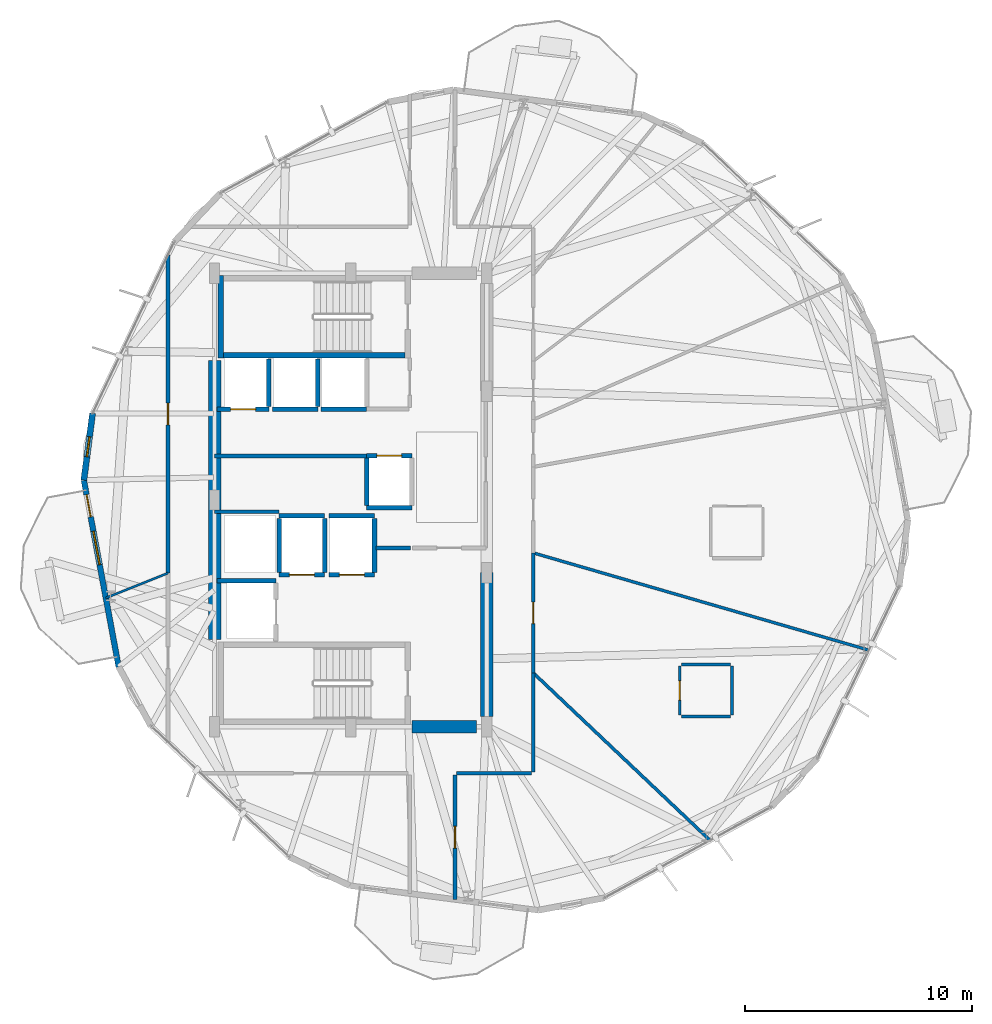
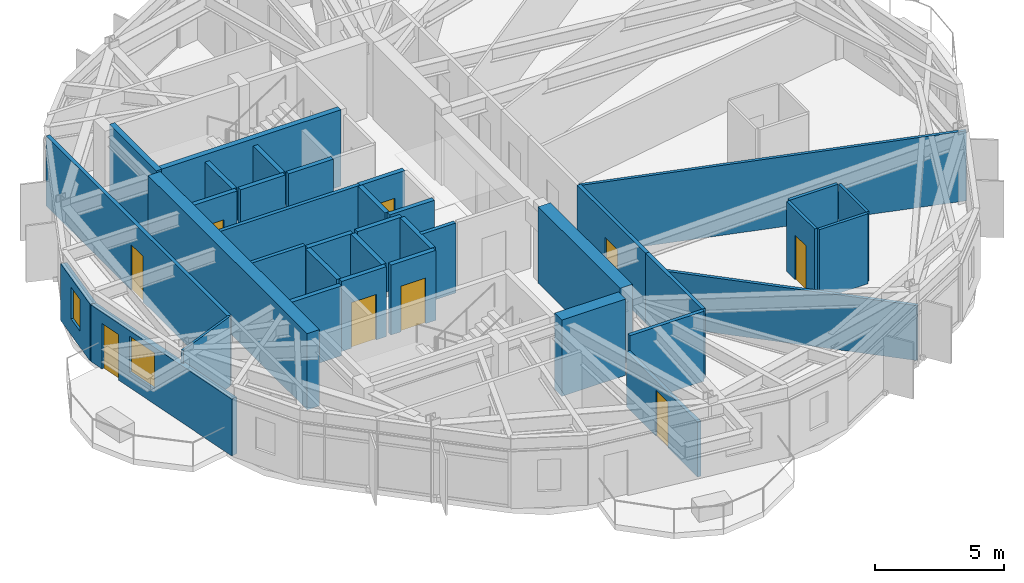
# One storey, part 18 of 23: 38 walls, 9 doors, 2 windows, 11 openings.
"""IFC4 building model written with IfcOpenShell, lengths in metres."""

from ifc_helpers import new_model, si_unit, direction, frame, frame_2d, origin, place, context, subcontext, project, spatial, rectangle, extrude, material, layer, layer_set, type_object, element, fill, save


model = new_model("IFC4")

# Units and contexts
model_context = context("Model", 3, precision=1e-05, world=origin(), true_north=direction((0.0, 1.0)))
body_context = subcontext(model_context, "Body", "Model", "MODEL_VIEW")
ifc_project = project(units=[si_unit("LENGTHUNIT", "METRE"), si_unit("AREAUNIT", "SQUARE_METRE"), si_unit("VOLUMEUNIT", "CUBIC_METRE"), si_unit("PLANEANGLEUNIT", "RADIAN"), si_unit("MASSUNIT", "GRAM", prefix="KILO")], contexts=[model_context])

# Site, building, storey
site_placement = place(None, origin())
site = spatial("IfcSite", under=ifc_project, at=site_placement, CompositionType="ELEMENT")
building_placement = place(site_placement, origin())
building = spatial("IfcBuilding", under=site, at=building_placement, Name="Soratama Intermodal Tower", CompositionType="ELEMENT")
storey_placement = place(building_placement, frame((0.0, 0.0, 139.0)))
storey = spatial("IfcBuildingStorey", under=building, at=storey_placement, Name="L33", CompositionType="ELEMENT", Elevation=139.0)

# Wall, openings, door, window
ifc_material_1 = material(Name="Concrete f'c 42 MPa", Category="concrete")
ifc_layer_1 = layer(ifc_material_1, 0.25)
ifc_layer_set_1 = layer_set([ifc_layer_1], Name="Concrete f'c 42 MPa")
wall_type_1 = type_object("IfcWallType", Name="EW-BAL-250", PredefinedType="SOLIDWALL", material=ifc_layer_set_1)
wall_1_placement = place(storey_placement, frame((26.84228515625, 25.875244140625, 0.0), z_axis=(0.0, 0.0, 1.0), x_axis=(0.183274789928, -0.983061723076, 0.0)))
wall_1 = element("IfcWall", 1, at=wall_1_placement, inside=storey, type_object=wall_type_1, Name="L33 Terrace Wall F05", PredefinedType="SOLIDWALL", context=body_context, shape_type="SweptSolid", body=[
    extrude(rectangle(XDim=8.376220703125, YDim=0.25, at=frame_2d((4.18798828125, 0.0))), origin(), (0.0, 0.0, 1.0), 2.678955078125),
])
opening_1_placement = place(wall_1_placement, frame((0.64990234375, 0.0, 0.0)))
opening_1 = element("IfcOpeningElement", 2, at=opening_1_placement, cuts=wall_1, Name="Opening ED-2", PredefinedType="OPENING", context=body_context, shape_type="SweptSolid", body=[
    extrude(rectangle(XDim=1.0, YDim=2.14990234375, at=frame_2d((0.5, 1.074951171875))), frame((0.0, 0.135009765625, 0.0), z_axis=(0.0, -1.0, 0.0), x_axis=(1.0, 0.0, 0.0)), (0.0, 0.0, 1.0), 0.27001953125),
])
opening_2_placement = place(wall_1_placement, frame((2.2900390625, 0.0, 0.719970703125)))
opening_2 = element("IfcOpeningElement", 3, at=opening_2_placement, cuts=wall_1, Name="Opening WN-1", PredefinedType="OPENING", context=body_context, shape_type="SweptSolid", body=[
    extrude(rectangle(XDim=1.5, YDim=1.699951171875, at=frame_2d((0.75, 0.85009765625))), frame((0.0, 0.135009765625, 0.0), z_axis=(0.0, -1.0, 0.0), x_axis=(1.0, 0.0, 0.0)), (0.0, 0.0, 1.0), 0.27001953125),
])
ifc_material_2 = material(Name="Double-glazed aluminium door", Category="aluminium")
door_type_1 = type_object("IfcDoorType", Name="DR-BAL-1000", OperationType="NOTDEFINED", PredefinedType="DOOR", material=ifc_material_2)
door_1_placement = place(opening_1_placement, origin())
door_1 = element("IfcDoor", 4, at=door_1_placement, inside=storey, type_object=door_type_1, Name="L33 Balcony Door F05", OperationType="SINGLE_SWING_LEFT", OverallHeight=2.14990234375, OverallWidth=1.0, PredefinedType="DOOR", context=body_context, shape_type="SweptSolid", body=[
    extrude(rectangle(XDim=1.0, YDim=2.14990234375, at=frame_2d((0.5, 1.074951171875))), frame((0.0, 0.02490234375, 0.0), z_axis=(0.0, -1.0, 0.0), x_axis=(1.0, 0.0, 0.0)), (0.0, 0.0, 1.0), 0.050048828125),
])
fill(opening_1, door_1)
ifc_material_3 = material(Name="Double-glazed aluminium window", Category="aluminium")
window_type_1 = type_object("IfcWindowType", Name="WN-FAC-1500", PartitioningType="SINGLE_PANEL", PredefinedType="WINDOW", material=ifc_material_3)
window_1_placement = place(opening_2_placement, origin())
window_1 = element("IfcWindow", 5, at=window_1_placement, inside=storey, type_object=window_type_1, Name="L33 Window B F05", OverallHeight=1.699951171875, OverallWidth=1.5, PartitioningType="SINGLE_PANEL", PredefinedType="WINDOW", context=body_context, shape_type="SweptSolid", body=[
    extrude(rectangle(XDim=1.5, YDim=1.699951171875, at=frame_2d((0.75, 0.85009765625))), frame((0.0, 0.030029296875, 0.0), z_axis=(0.0, -1.0, 0.0), x_axis=(1.0, 0.0, 0.0)), (0.0, 0.0, 1.0), 0.06005859375),
])
fill(opening_2, window_1)

# Wall, opening, window
ifc_material_4 = material(Name="Concrete f'c 42 MPa", Category="concrete")
ifc_layer_2 = layer(ifc_material_4, 0.27001953125)
ifc_layer_set_2 = layer_set([ifc_layer_2], Name="Concrete f'c 42 MPa")
wall_type_2 = type_object("IfcWallType", Name="EW-CRN-270", PredefinedType="SOLIDWALL", material=ifc_layer_set_2)
wall_2_placement = place(storey_placement, frame((27.2265625, 28.81689453125, 0.0), z_axis=(0.0, 0.0, 1.0), x_axis=(-0.129532682457, -0.991575153065, 0.0)))
wall_2 = element("IfcWall", 6, at=wall_2_placement, inside=storey, type_object=wall_type_2, Name="L33 Corner Closure Wall 04", PredefinedType="SOLIDWALL", context=body_context, shape_type="SweptSolid", body=[
    extrude(rectangle(XDim=2.966552734375, YDim=0.27001953125, at=frame_2d((1.4833984375, 0.0))), origin(), (0.0, 0.0, 1.0), 2.678955078125),
])
opening_3_placement = place(wall_2_placement, frame((1.033203125, 0.0, 0.75)))
opening_3 = element("IfcOpeningElement", 7, at=opening_3_placement, cuts=wall_2, Name="Opening WN-6", PredefinedType="OPENING", context=body_context, shape_type="SweptSolid", body=[
    extrude(rectangle(XDim=0.89990234375, YDim=1.5, at=frame_2d((0.449951171875, 0.75))), frame((0.0, 0.14501953125, 0.0), z_axis=(0.0, -1.0, 0.0), x_axis=(1.0, 0.0, 0.0)), (0.0, 0.0, 1.0), 0.2900390625),
])
ifc_material_5 = material(Name="Double-glazed aluminium window", Category="aluminium")
window_type_2 = type_object("IfcWindowType", Name="WN-FAC-900", PartitioningType="SINGLE_PANEL", PredefinedType="WINDOW", material=ifc_material_5)
window_2_placement = place(opening_3_placement, origin())
window_2 = element("IfcWindow", 8, at=window_2_placement, inside=storey, type_object=window_type_2, Name="L33 Corner Window 04", OverallHeight=1.5, OverallWidth=0.89990234375, PartitioningType="SINGLE_PANEL", PredefinedType="WINDOW", context=body_context, shape_type="SweptSolid", body=[
    extrude(rectangle(XDim=0.89990234375, YDim=1.5, at=frame_2d((0.449951171875, 0.75))), frame((0.0, 0.030029296875, 0.0), z_axis=(0.0, -1.0, 0.0), x_axis=(1.0, 0.0, 0.0)), (0.0, 0.0, 1.0), 0.06005859375),
])
fill(opening_3, window_2)

# Wall, opening, door
ifc_material_6 = material(Name="Fire-rated gypsum stud partition", Category="concrete")
ifc_layer_3 = layer(ifc_material_6, 0.159912109375)
ifc_layer_set_3 = layer_set([ifc_layer_3], Name="Fire-rated gypsum stud partition")
wall_type_3 = type_object("IfcWallType", Name="IW-PART-R160", PredefinedType="PARTITIONING", material=ifc_layer_set_3)
wall_3_placement = place(storey_placement, frame((30.550048828125, 21.778076171875, 0.0), z_axis=(0.0, 0.0, 1.0), x_axis=(0.0, 1.0, 0.0)))
wall_3 = element("IfcWall", 9, at=wall_3_placement, inside=storey, type_object=wall_type_3, Name="L33 Partition W-L33-TP004", PredefinedType="PARTITIONING", context=body_context, shape_type="SweptSolid", body=[
    extrude(rectangle(XDim=14.02490234375, YDim=0.159912109375, at=frame_2d((7.012451171875, 0.0))), origin(), (0.0, 0.0, 1.0), 3.300048828125),
])
opening_4_placement = place(wall_3_placement, frame((6.537109375, 0.0, 0.0)))
opening_4 = element("IfcOpeningElement", 10, at=opening_4_placement, cuts=wall_3, Name="Opening ID-3", PredefinedType="OPENING", context=body_context, shape_type="SweptSolid", body=[
    extrude(rectangle(XDim=0.949951171875, YDim=2.14990234375, at=frame_2d((0.47509765625, 1.074951171875))), frame((0.0, 0.08984375, 0.0), z_axis=(0.0, -1.0, 0.0), x_axis=(1.0, 0.0, 0.0)), (0.0, 0.0, 1.0), 0.179931640625),
])
ifc_material_7 = material(Name="Solid hardwood acoustic door", Category="wood")
door_type_2 = type_object("IfcDoorType", Name="DR-ROOM-950", OperationType="NOTDEFINED", PredefinedType="DOOR", material=ifc_material_7)
door_2_placement = place(opening_4_placement, origin())
door_2 = element("IfcDoor", 11, at=door_2_placement, inside=storey, type_object=door_type_2, Name="L33 Door D-L33-TP001", OperationType="SINGLE_SWING_RIGHT", OverallHeight=2.14990234375, OverallWidth=0.949951171875, PredefinedType="DOOR", context=body_context, shape_type="SweptSolid", body=[
    extrude(rectangle(XDim=0.949951171875, YDim=2.14990234375, at=frame_2d((0.47509765625, 1.074951171875))), frame((0.0, 0.02490234375, 0.0), z_axis=(0.0, -1.0, 0.0), x_axis=(1.0, 0.0, 0.0)), (0.0, 0.0, 1.0), 0.050048828125),
])
fill(opening_4, door_2)

# Wall
wall_4_placement = place(storey_placement, frame((39.300048828125, 26.93994140625, 0.0), z_axis=(0.0, 0.0, 1.0), x_axis=(-1.0, 0.0, 0.0)))
element("IfcWall", 12, at=wall_4_placement, inside=storey, type_object=wall_type_3, Name="L33 Partition W-L33-TP011", PredefinedType="PARTITIONING", context=body_context, shape_type="SweptSolid", body=[
    extrude(rectangle(XDim=6.699951171875, YDim=0.159912109375, at=frame_2d((3.35009765625, 0.0))), origin(), (0.0, 0.0, 1.0), 3.300048828125),
])

# Wall, opening, door
wall_5_placement = place(storey_placement, frame((43.199951171875, 12.8798828125, 0.0), z_axis=(0.0, 0.0, 1.0), x_axis=(0.0, -1.0, 0.0)))
wall_5 = element("IfcWall", 13, at=wall_5_placement, inside=storey, type_object=wall_type_3, Name="L33 Partition W-L33-TP015", PredefinedType="PARTITIONING", context=body_context, shape_type="SweptSolid", body=[
    extrude(rectangle(XDim=5.48486328125, YDim=0.159912109375, at=frame_2d((2.742431640625, 0.0))), origin(), (0.0, 0.0, 1.0), 2.594970703125),
])
opening_5_placement = place(wall_5_placement, frame((2.26806640625, 0.0, 0.0)))
opening_5 = element("IfcOpeningElement", 14, at=opening_5_placement, cuts=wall_5, Name="Opening ID-3", PredefinedType="OPENING", context=body_context, shape_type="SweptSolid", body=[
    extrude(rectangle(XDim=0.949951171875, YDim=2.14990234375, at=frame_2d((0.47509765625, 1.074951171875))), frame((0.0, 0.08984375, 0.0), z_axis=(0.0, -1.0, 0.0), x_axis=(1.0, 0.0, 0.0)), (0.0, 0.0, 1.0), 0.179931640625),
])
door_3_placement = place(opening_5_placement, origin())
door_3 = element("IfcDoor", 15, at=door_3_placement, inside=storey, type_object=door_type_2, Name="L33 Door D-L33-TP007", OperationType="SINGLE_SWING_RIGHT", OverallHeight=2.14990234375, OverallWidth=0.949951171875, PredefinedType="DOOR", context=body_context, shape_type="SweptSolid", body=[
    extrude(rectangle(XDim=0.949951171875, YDim=2.14990234375, at=frame_2d((0.47509765625, 1.074951171875))), frame((0.0, 0.02490234375, 0.0), z_axis=(0.0, -1.0, 0.0), x_axis=(1.0, 0.0, 0.0)), (0.0, 0.0, 1.0), 0.050048828125),
])
fill(opening_5, door_3)

wall_6_placement = place(storey_placement, frame((46.64990234375, 22.66796875, 0.0), z_axis=(0.0, 0.0, 1.0), x_axis=(0.0, -1.0, 0.0)))
wall_6 = element("IfcWall", 16, at=wall_6_placement, inside=storey, type_object=wall_type_3, Name="L33 Partition W-L33-TP016", PredefinedType="PARTITIONING", context=body_context, shape_type="SweptSolid", body=[
    extrude(rectangle(XDim=5.291015625, YDim=0.159912109375, at=frame_2d((2.6455078125, 0.0))), origin(), (0.0, 0.0, 1.0), 3.300048828125),
])
opening_6_placement = place(wall_6_placement, frame((2.1708984375, 0.0, 0.0)))
opening_6 = element("IfcOpeningElement", 17, at=opening_6_placement, cuts=wall_6, Name="Opening ID-3", PredefinedType="OPENING", context=body_context, shape_type="SweptSolid", body=[
    extrude(rectangle(XDim=0.949951171875, YDim=2.14990234375, at=frame_2d((0.47509765625, 1.074951171875))), frame((0.0, 0.08984375, 0.0), z_axis=(0.0, -1.0, 0.0), x_axis=(1.0, 0.0, 0.0)), (0.0, 0.0, 1.0), 0.179931640625),
])
door_4_placement = place(opening_6_placement, origin())
door_4 = element("IfcDoor", 18, at=door_4_placement, inside=storey, type_object=door_type_2, Name="L33 Door D-L33-TP008", OperationType="SINGLE_SWING_LEFT", OverallHeight=2.14990234375, OverallWidth=0.949951171875, PredefinedType="DOOR", context=body_context, shape_type="SweptSolid", body=[
    extrude(rectangle(XDim=0.949951171875, YDim=2.14990234375, at=frame_2d((0.47509765625, 1.074951171875))), frame((0.0, 0.02490234375, 0.0), z_axis=(0.0, -1.0, 0.0), x_axis=(1.0, 0.0, 0.0)), (0.0, 0.0, 1.0), 0.050048828125),
])
fill(opening_6, door_4)

# Walls
wall_7_placement = place(storey_placement, frame((46.64990234375, 17.376953125, 0.0), z_axis=(0.0, 0.0, 1.0), x_axis=(0.0, -1.0, 0.0)))
element("IfcWall", 19, at=wall_7_placement, inside=storey, type_object=wall_type_3, Name="L33 Partition W-L33-TP020", PredefinedType="PARTITIONING", context=body_context, shape_type="SweptSolid", body=[
    extrude(rectangle(XDim=4.35693359375, YDim=0.159912109375, at=frame_2d((2.178466796875, 0.0))), origin(), (0.0, 0.0, 1.0), 3.300048828125),
])
wall_8_placement = place(storey_placement, frame((46.580078125, 12.949951171875, 0.0), z_axis=(0.0, 0.0, 1.0), x_axis=(-1.0, 0.0, 0.0)))
element("IfcWall", 20, at=wall_8_placement, inside=storey, type_object=wall_type_3, Name="L33 Partition W-L33-TP023", PredefinedType="PARTITIONING", context=body_context, shape_type="SweptSolid", body=[
    extrude(rectangle(XDim=3.31005859375, YDim=0.159912109375, at=frame_2d((1.655029296875, 0.0))), origin(), (0.0, 0.0, 1.0), 3.300048828125),
])
wall_9_placement = place(storey_placement, frame((35.449951171875, 24.485107421875, 0.0), z_axis=(0.0, 0.0, 1.0), x_axis=(-1.0, 0.0, 0.0)))
element("IfcWall", 21, at=wall_9_placement, inside=storey, type_object=wall_type_3, Name="L33 Partition W-L33-TP026", PredefinedType="PARTITIONING", context=body_context, shape_type="SweptSolid", body=[
    extrude(rectangle(XDim=2.849853515625, YDim=0.159912109375, at=frame_2d((1.4248046875, 0.0))), origin(), (0.0, 0.0, 1.0), 3.300048828125),
])
ifc_material_8 = material(Name="Fire-rated gypsum stud partition", Category="concrete")
ifc_layer_4 = layer(ifc_material_8, 0.169921875)
ifc_layer_set_4 = layer_set([ifc_layer_4], Name="Fire-rated gypsum stud partition")
wall_type_4 = type_object("IfcWallType", Name="IW-PART-R170", PredefinedType="PARTITIONING", material=ifc_layer_set_4)
wall_10_placement = place(storey_placement, frame((39.719970703125, 22.889892578125, 0.0), z_axis=(0.0, 0.0, 1.0), x_axis=(1.0, 0.0, 0.0)))
element("IfcWall", 22, at=wall_10_placement, inside=storey, type_object=wall_type_4, Name="L33 Partition W-L33-TP041", PredefinedType="PARTITIONING", context=body_context, shape_type="SweptSolid", body=[
    extrude(rectangle(XDim=1.52001953125, YDim=0.169921875, at=frame_2d((0.760009765625, 0.0))), origin(), (0.0, 0.0, 1.0), 3.300048828125),
])
ifc_material_9 = material(Name="Fire-rated gypsum stud partition", Category="concrete")
ifc_layer_5 = layer(ifc_material_9, 0.10009765625)
ifc_layer_set_5 = layer_set([ifc_layer_5], Name="Fire-rated gypsum stud partition")
wall_type_5 = type_object("IfcWallType", Name="IW-PART-S100", PredefinedType="PARTITIONING", material=ifc_layer_set_5)
wall_11_placement = place(storey_placement, frame((30.550048828125, 21.778076171875, 0.0), z_axis=(0.0, 0.0, 1.0), x_axis=(-0.928596473604, -0.371091079401, 0.0)))
element("IfcWall", 23, at=wall_11_placement, inside=storey, type_object=wall_type_5, Name="L33 Partition W-L33-TP025", PredefinedType="PARTITIONING", context=body_context, shape_type="SweptSolid", body=[
    extrude(rectangle(XDim=2.95068359375, YDim=0.10009765625, at=frame_2d((1.475341796875, 0.0))), origin(), (0.0, 0.0, 1.0), 3.300048828125),
])
ifc_material_10 = material(Name="Fire-rated gypsum stud partition", Category="concrete")
ifc_layer_6 = layer(ifc_material_10, 0.1201171875)
ifc_layer_set_6 = layer_set([ifc_layer_6], Name="Fire-rated gypsum stud partition")
wall_type_6 = type_object("IfcWallType", Name="IW-PART-S120", PredefinedType="PARTITIONING", material=ifc_layer_set_6)
wall_12_placement = place(storey_placement, frame((55.403076171875, 15.52294921875, 0.0), z_axis=(0.0, 0.0, 1.0), x_axis=(0.0, 1.0, 0.0)))
element("IfcWall", 24, at=wall_12_placement, inside=storey, type_object=wall_type_6, Name="L33 Partition W-L33-TP033", PredefinedType="PARTITIONING", context=body_context, shape_type="SweptSolid", body=[
    extrude(rectangle(XDim=2.16015625, YDim=0.1201171875, at=frame_2d((1.080078125, 0.0))), origin(), (0.0, 0.0, 1.0), 3.300048828125),
])
ifc_material_11 = material(Name="Fire-rated gypsum stud partition", Category="concrete")
ifc_layer_7 = layer(ifc_material_11, 0.1298828125)
ifc_layer_set_7 = layer_set([ifc_layer_7], Name="Fire-rated gypsum stud partition")
wall_type_7 = type_object("IfcWallType", Name="IW-PART-S130", PredefinedType="PARTITIONING", material=ifc_layer_set_7)
wall_13_placement = place(storey_placement, frame((46.64990234375, 22.66796875, 0.0), z_axis=(0.0, 0.0, 1.0), x_axis=(0.96049001592, -0.278314443244, 0.0)))
element("IfcWall", 25, at=wall_13_placement, inside=storey, type_object=wall_type_7, Name="L33 Partition W-L33-TP002", PredefinedType="PARTITIONING", context=body_context, shape_type="SweptSolid", body=[
    extrude(rectangle(XDim=15.3994140625, YDim=0.1298828125, at=frame_2d((7.69970703125, 0.0))), origin(), (0.0, 0.0, 1.0), 3.300048828125),
])

# Wall, opening, door
wall_14_placement = place(storey_placement, frame((53.10302734375, 17.68310546875, 0.0), z_axis=(0.0, 0.0, 1.0), x_axis=(0.0, -1.0, 0.0)))
wall_14 = element("IfcWall", 26, at=wall_14_placement, inside=storey, type_object=wall_type_7, Name="L33 Partition W-L33-TP032", PredefinedType="PARTITIONING", context=body_context, shape_type="SweptSolid", body=[
    extrude(rectangle(XDim=2.16015625, YDim=0.1298828125, at=frame_2d((1.080078125, 0.0))), origin(), (0.0, 0.0, 1.0), 3.300048828125),
])
opening_7_placement = place(wall_14_placement, frame((0.655029296875, 0.0, 0.0)))
opening_7 = element("IfcOpeningElement", 27, at=opening_7_placement, cuts=wall_14, Name="Opening ID-4", PredefinedType="OPENING", context=body_context, shape_type="SweptSolid", body=[
    extrude(rectangle(XDim=0.85009765625, YDim=2.10009765625, at=frame_2d((0.425048828125, 1.050048828125))), frame((0.0, 0.074951171875, 0.0), z_axis=(0.0, -1.0, 0.0), x_axis=(1.0, 0.0, 0.0)), (0.0, 0.0, 1.0), 0.14990234375),
])
ifc_material_12 = material(Name="Solid hardwood acoustic door", Category="wood")
door_type_3 = type_object("IfcDoorType", Name="DR-BATH-850", OperationType="NOTDEFINED", PredefinedType="DOOR", material=ifc_material_12)
door_5_placement = place(opening_7_placement, origin())
door_5 = element("IfcDoor", 28, at=door_5_placement, inside=storey, type_object=door_type_3, Name="L33 Door D-L33-TP016", OperationType="SINGLE_SWING_LEFT", OverallHeight=2.10009765625, OverallWidth=0.85009765625, PredefinedType="DOOR", context=body_context, shape_type="SweptSolid", body=[
    extrude(rectangle(XDim=0.85009765625, YDim=2.10009765625, at=frame_2d((0.425048828125, 1.050048828125))), frame((0.0, 0.02490234375, 0.0), z_axis=(0.0, -1.0, 0.0), x_axis=(1.0, 0.0, 0.0)), (0.0, 0.0, 1.0), 0.050048828125),
])
fill(opening_7, door_5)

# Walls
wall_15_placement = place(storey_placement, frame((53.173095703125, 15.452880859375, 0.0), z_axis=(0.0, 0.0, 1.0), x_axis=(1.0, 0.0, 0.0)))
element("IfcWall", 29, at=wall_15_placement, inside=storey, type_object=wall_type_7, Name="L33 Partition W-L33-TP037", PredefinedType="PARTITIONING", context=body_context, shape_type="SweptSolid", body=[
    extrude(rectangle(XDim=2.159912109375, YDim=0.1298828125, at=frame_2d((1.080078125, 0.0))), origin(), (0.0, 0.0, 1.0), 3.300048828125),
])
ifc_material_13 = material(Name="Fire-rated gypsum stud partition", Category="concrete")
ifc_layer_8 = layer(ifc_material_13, 0.139892578125)
ifc_layer_set_8 = layer_set([ifc_layer_8], Name="Fire-rated gypsum stud partition")
wall_type_8 = type_object("IfcWallType", Name="IW-PART-S140", PredefinedType="PARTITIONING", material=ifc_layer_set_8)
wall_16_placement = place(storey_placement, frame((46.64990234375, 17.376953125, 0.0), z_axis=(0.0, 0.0, 1.0), x_axis=(0.726136795553, -0.687550255722, 0.0)))
element("IfcWall", 30, at=wall_16_placement, inside=storey, type_object=wall_type_8, Name="L33 Partition W-L33-TP006", PredefinedType="PARTITIONING", context=body_context, shape_type="SweptSolid", body=[
    extrude(rectangle(XDim=10.730712890625, YDim=0.139892578125, at=frame_2d((5.365234375, 0.0))), origin(), (0.0, 0.0, 1.0), 2.594970703125),
])
wall_17_placement = place(storey_placement, frame((55.3330078125, 17.7529296875, 0.0), z_axis=(0.0, 0.0, 1.0), x_axis=(-1.0, 0.0, 0.0)))
element("IfcWall", 31, at=wall_17_placement, inside=storey, type_object=wall_type_8, Name="L33 Partition W-L33-TP036", PredefinedType="PARTITIONING", context=body_context, shape_type="SweptSolid", body=[
    extrude(rectangle(XDim=2.159912109375, YDim=0.139892578125, at=frame_2d((1.080078125, 0.0))), origin(), (0.0, 0.0, 1.0), 3.300048828125),
])

# Wall, opening, door
ifc_material_14 = material(Name="Concrete f'c 42 MPa", Category="concrete")
ifc_layer_9 = layer(ifc_material_14, 0.199951171875)
ifc_layer_set_9 = layer_set([ifc_layer_9], Name="Concrete f'c 42 MPa")
wall_type_9 = type_object("IfcWallType", Name="IW-SHAFT-200", PredefinedType="SOLIDWALL", material=ifc_layer_set_9)
wall_18_placement = place(storey_placement, frame((35.449951171875, 21.699951171875, 0.0), z_axis=(0.0, 0.0, 1.0), x_axis=(1.0, 0.0, 0.0)))
wall_18 = element("IfcWall", 32, at=wall_18_placement, inside=storey, type_object=wall_type_9, Name="L33 FFL-1 Hoistway Wall S", PredefinedType="SOLIDWALL", context=body_context, shape_type="SweptSolid", body=[
    extrude(rectangle(XDim=2.0, YDim=0.199951171875, at=frame_2d((1.0, 0.0))), origin(), (0.0, 0.0, 1.0), 3.300048828125),
])
opening_8_placement = place(wall_18_placement, frame((0.449951171875, 0.0, 0.0)))
opening_8 = element("IfcOpeningElement", 33, at=opening_8_placement, cuts=wall_18, Name="Opening LD-1", PredefinedType="OPENING", context=body_context, shape_type="SweptSolid", body=[
    extrude(rectangle(XDim=1.10009765625, YDim=2.14990234375, at=frame_2d((0.550048828125, 1.074951171875))), frame((0.0, 0.10986328125, 0.0), z_axis=(0.0, -1.0, 0.0), x_axis=(1.0, 0.0, 0.0)), (0.0, 0.0, 1.0), 0.219970703125),
])
ifc_material_15 = material(Name="Steel fire door", Category="steel")
door_type_4 = type_object("IfcDoorType", Name="DR-LIFT-SLIDE", OperationType="NOTDEFINED", PredefinedType="DOOR", material=ifc_material_15)
door_6_placement = place(opening_8_placement, origin())
door_6 = element("IfcDoor", 34, at=door_6_placement, inside=storey, type_object=door_type_4, Name="L33 FFL-1 Sliding Landing Door", OperationType="SLIDING_TO_LEFT", OverallHeight=2.14990234375, OverallWidth=1.10009765625, PredefinedType="DOOR", context=body_context, shape_type="SweptSolid", body=[
    extrude(rectangle(XDim=1.10009765625, YDim=2.14990234375, at=frame_2d((0.550048828125, 1.074951171875))), frame((0.0, 0.02490234375, 0.0), z_axis=(0.0, -1.0, 0.0), x_axis=(1.0, 0.0, 0.0)), (0.0, 0.0, 1.0), 0.050048828125),
])
fill(opening_8, door_6)

# Walls
wall_19_placement = place(storey_placement, frame((35.449951171875, 24.300048828125, 0.0), z_axis=(0.0, 0.0, 1.0), x_axis=(1.0, 0.0, 0.0)))
element("IfcWall", 35, at=wall_19_placement, inside=storey, type_object=wall_type_9, Name="L33 FFL-1 Hoistway Wall N", PredefinedType="SOLIDWALL", context=body_context, shape_type="SweptSolid", body=[
    extrude(rectangle(XDim=2.0, YDim=0.199951171875, at=frame_2d((1.0, 0.0))), origin(), (0.0, 0.0, 1.0), 3.300048828125),
])
for number, where, z_axis, x_axis, name in (
    (36, (35.449951171875, 21.81005859375, 0.0), (0.0, 0.0, 1.0), (0.0, 1.0, 0.0), "L33 FFL-1 Hoistway Wall W"),
    (37, (37.449951171875, 21.81005859375, 0.0), (0.0, 0.0, 1.0), (0.0, 1.0, 0.0), "L33 FFL-1 Hoistway Wall E"),
):
    element("IfcWall", number, at=place(storey_placement, frame(where, z_axis=z_axis, x_axis=x_axis)), inside=storey, type_object=wall_type_9, Name=name, PredefinedType="SOLIDWALL", context=body_context, shape_type="SweptSolid", body=[
        extrude(rectangle(XDim=2.3798828125, YDim=0.199951171875, at=frame_2d((1.18994140625, 0.0))), origin(), (0.0, 0.0, 1.0), 3.300048828125),
    ])

# Wall, opening, door
wall_20_placement = place(storey_placement, frame((37.64990234375, 21.699951171875, 0.0), z_axis=(0.0, 0.0, 1.0), x_axis=(1.0, 0.0, 0.0)))
wall_20 = element("IfcWall", 38, at=wall_20_placement, inside=storey, type_object=wall_type_9, Name="L33 FFL-2 Hoistway Wall S", PredefinedType="SOLIDWALL", context=body_context, shape_type="SweptSolid", body=[
    extrude(rectangle(XDim=2.0, YDim=0.199951171875, at=frame_2d((1.0, 0.0))), origin(), (0.0, 0.0, 1.0), 3.300048828125),
])
opening_9_placement = place(wall_20_placement, frame((0.449951171875, 0.0, 0.0)))
opening_9 = element("IfcOpeningElement", 39, at=opening_9_placement, cuts=wall_20, Name="Opening LD-1", PredefinedType="OPENING", context=body_context, shape_type="SweptSolid", body=[
    extrude(rectangle(XDim=1.10009765625, YDim=2.14990234375, at=frame_2d((0.550048828125, 1.074951171875))), frame((0.0, 0.10986328125, 0.0), z_axis=(0.0, -1.0, 0.0), x_axis=(1.0, 0.0, 0.0)), (0.0, 0.0, 1.0), 0.219970703125),
])
door_7_placement = place(opening_9_placement, origin())
door_7 = element("IfcDoor", 40, at=door_7_placement, inside=storey, type_object=door_type_4, Name="L33 FFL-2 Sliding Landing Door", OperationType="SLIDING_TO_LEFT", OverallHeight=2.14990234375, OverallWidth=1.10009765625, PredefinedType="DOOR", context=body_context, shape_type="SweptSolid", body=[
    extrude(rectangle(XDim=1.10009765625, YDim=2.14990234375, at=frame_2d((0.550048828125, 1.074951171875))), frame((0.0, 0.02490234375, 0.0), z_axis=(0.0, -1.0, 0.0), x_axis=(1.0, 0.0, 0.0)), (0.0, 0.0, 1.0), 0.050048828125),
])
fill(opening_9, door_7)

# Walls
wall_21_placement = place(storey_placement, frame((37.64990234375, 24.300048828125, 0.0), z_axis=(0.0, 0.0, 1.0), x_axis=(1.0, 0.0, 0.0)))
element("IfcWall", 41, at=wall_21_placement, inside=storey, type_object=wall_type_9, Name="L33 FFL-2 Hoistway Wall N", PredefinedType="SOLIDWALL", context=body_context, shape_type="SweptSolid", body=[
    extrude(rectangle(XDim=2.0, YDim=0.199951171875, at=frame_2d((1.0, 0.0))), origin(), (0.0, 0.0, 1.0), 3.300048828125),
])
wall_22_placement = place(storey_placement, frame((39.64990234375, 21.81005859375, 0.0), z_axis=(0.0, 0.0, 1.0), x_axis=(0.0, 1.0, 0.0)))
element("IfcWall", 42, at=wall_22_placement, inside=storey, type_object=wall_type_9, Name="L33 FFL-2 Hoistway Wall E", PredefinedType="SOLIDWALL", context=body_context, shape_type="SweptSolid", body=[
    extrude(rectangle(XDim=2.3798828125, YDim=0.199951171875, at=frame_2d((1.18994140625, 0.0))), origin(), (0.0, 0.0, 1.0), 3.300048828125),
])
wall_23_placement = place(storey_placement, frame((32.719970703125, 21.449951171875, 0.0), z_axis=(0.0, 0.0, 1.0), x_axis=(1.0, 0.0, 0.0)))
element("IfcWall", 43, at=wall_23_placement, inside=storey, type_object=wall_type_9, Name="L33 SVL-1 Hoistway Wall N", PredefinedType="SOLIDWALL", context=body_context, shape_type="SweptSolid", body=[
    extrude(rectangle(XDim=2.580078125, YDim=0.199951171875, at=frame_2d((1.2900390625, 0.0))), origin(), (0.0, 0.0, 1.0), 3.300048828125),
])
wall_24_placement = place(storey_placement, frame((39.300048828125, 24.64990234375, 0.0), z_axis=(0.0, 0.0, 1.0), x_axis=(1.0, 0.0, 0.0)))
element("IfcWall", 44, at=wall_24_placement, inside=storey, type_object=wall_type_9, Name="L33 PL-M1 Hoistway Wall S", PredefinedType="SOLIDWALL", context=body_context, shape_type="SweptSolid", body=[
    extrude(rectangle(XDim=2.0, YDim=0.199951171875, at=frame_2d((1.0, 0.0))), origin(), (0.0, 0.0, 1.0), 3.300048828125),
])

# Wall, opening, door
wall_25_placement = place(storey_placement, frame((39.300048828125, 26.949951171875, 0.0), z_axis=(0.0, 0.0, 1.0), x_axis=(1.0, 0.0, 0.0)))
wall_25 = element("IfcWall", 45, at=wall_25_placement, inside=storey, type_object=wall_type_9, Name="L33 PL-M1 Hoistway Wall N", PredefinedType="SOLIDWALL", context=body_context, shape_type="SweptSolid", body=[
    extrude(rectangle(XDim=2.0, YDim=0.199951171875, at=frame_2d((1.0, 0.0))), origin(), (0.0, 0.0, 1.0), 3.300048828125),
])
opening_10_placement = place(wall_25_placement, frame((0.449951171875, 0.0, 0.0)))
opening_10 = element("IfcOpeningElement", 46, at=opening_10_placement, cuts=wall_25, Name="Opening LD-1", PredefinedType="OPENING", context=body_context, shape_type="SweptSolid", body=[
    extrude(rectangle(XDim=1.10009765625, YDim=2.14990234375, at=frame_2d((0.550048828125, 1.074951171875))), frame((0.0, 0.10986328125, 0.0), z_axis=(0.0, -1.0, 0.0), x_axis=(1.0, 0.0, 0.0)), (0.0, 0.0, 1.0), 0.219970703125),
])
door_8_placement = place(opening_10_placement, origin())
door_8 = element("IfcDoor", 47, at=door_8_placement, inside=storey, type_object=door_type_4, Name="L33 PL-M1 Sliding Landing Door", OperationType="SLIDING_TO_LEFT", OverallHeight=2.14990234375, OverallWidth=1.10009765625, PredefinedType="DOOR", context=body_context, shape_type="SweptSolid", body=[
    extrude(rectangle(XDim=1.10009765625, YDim=2.14990234375, at=frame_2d((0.550048828125, 1.074951171875))), frame((0.0, 0.02490234375, 0.0), z_axis=(0.0, -1.0, 0.0), x_axis=(1.0, 0.0, 0.0)), (0.0, 0.0, 1.0), 0.050048828125),
])
fill(opening_10, door_8)

# Wall
wall_26_placement = place(storey_placement, frame((39.300048828125, 24.760009765625, 0.0), z_axis=(0.0, 0.0, 1.0), x_axis=(0.0, 1.0, 0.0)))
element("IfcWall", 48, at=wall_26_placement, inside=storey, type_object=wall_type_9, Name="L33 PL-M1 Hoistway Wall W", PredefinedType="SOLIDWALL", context=body_context, shape_type="SweptSolid", body=[
    extrude(rectangle(XDim=2.080078125, YDim=0.199951171875, at=frame_2d((1.0400390625, 0.0))), origin(), (0.0, 0.0, 1.0), 3.300048828125),
])

# Wall, opening, door
wall_27_placement = place(storey_placement, frame((32.719970703125, 29.0, 0.0), z_axis=(0.0, 0.0, 1.0), x_axis=(1.0, 0.0, 0.0)))
wall_27 = element("IfcWall", 49, at=wall_27_placement, inside=storey, type_object=wall_type_9, Name="L33 PL-M2 Hoistway Wall S", PredefinedType="SOLIDWALL", context=body_context, shape_type="SweptSolid", body=[
    extrude(rectangle(XDim=2.280029296875, YDim=0.199951171875, at=frame_2d((1.14013671875, 0.0))), origin(), (0.0, 0.0, 1.0), 3.300048828125),
])
opening_11_placement = place(wall_27_placement, frame((0.590087890625, 0.0, 0.0)))
opening_11 = element("IfcOpeningElement", 50, at=opening_11_placement, cuts=wall_27, Name="Opening LD-1", PredefinedType="OPENING", context=body_context, shape_type="SweptSolid", body=[
    extrude(rectangle(XDim=1.10009765625, YDim=2.14990234375, at=frame_2d((0.550048828125, 1.074951171875))), frame((0.0, 0.10986328125, 0.0), z_axis=(0.0, -1.0, 0.0), x_axis=(1.0, 0.0, 0.0)), (0.0, 0.0, 1.0), 0.219970703125),
])
door_9_placement = place(opening_11_placement, origin())
door_9 = element("IfcDoor", 51, at=door_9_placement, inside=storey, type_object=door_type_4, Name="L33 PL-M2 Sliding Landing Door", OperationType="SLIDING_TO_LEFT", OverallHeight=2.14990234375, OverallWidth=1.10009765625, PredefinedType="DOOR", context=body_context, shape_type="SweptSolid", body=[
    extrude(rectangle(XDim=1.10009765625, YDim=2.14990234375, at=frame_2d((0.550048828125, 1.074951171875))), frame((0.0, 0.02490234375, 0.0), z_axis=(0.0, -1.0, 0.0), x_axis=(1.0, 0.0, 0.0)), (0.0, 0.0, 1.0), 0.050048828125),
])
fill(opening_11, door_9)

# Walls
wall_28_placement = place(storey_placement, frame((35.0, 29.110107421875, 0.0), z_axis=(0.0, 0.0, 1.0), x_axis=(0.0, 1.0, 0.0)))
element("IfcWall", 52, at=wall_28_placement, inside=storey, type_object=wall_type_9, Name="L33 PL-M2 Hoistway Wall E", PredefinedType="SOLIDWALL", context=body_context, shape_type="SweptSolid", body=[
    extrude(rectangle(XDim=2.099853515625, YDim=0.199951171875, at=frame_2d((1.0498046875, 0.0))), origin(), (0.0, 0.0, 1.0), 3.300048828125),
])
wall_29_placement = place(storey_placement, frame((35.14990234375, 29.0, 0.0), z_axis=(0.0, 0.0, 1.0), x_axis=(1.0, 0.0, 0.0)))
element("IfcWall", 53, at=wall_29_placement, inside=storey, type_object=wall_type_9, Name="L33 PL-H1 Hoistway Wall S", PredefinedType="SOLIDWALL", context=body_context, shape_type="SweptSolid", body=[
    extrude(rectangle(XDim=2.0, YDim=0.199951171875, at=frame_2d((1.0, 0.0))), origin(), (0.0, 0.0, 1.0), 3.300048828125),
])
wall_30_placement = place(storey_placement, frame((37.14990234375, 29.110107421875, 0.0), z_axis=(0.0, 0.0, 1.0), x_axis=(0.0, 1.0, 0.0)))
element("IfcWall", 54, at=wall_30_placement, inside=storey, type_object=wall_type_9, Name="L33 PL-H1 Hoistway Wall E", PredefinedType="SOLIDWALL", context=body_context, shape_type="SweptSolid", body=[
    extrude(rectangle(XDim=2.099853515625, YDim=0.199951171875, at=frame_2d((1.0498046875, 0.0))), origin(), (0.0, 0.0, 1.0), 3.300048828125),
])
wall_31_placement = place(storey_placement, frame((37.300048828125, 29.0, 0.0), z_axis=(0.0, 0.0, 1.0), x_axis=(1.0, 0.0, 0.0)))
element("IfcWall", 55, at=wall_31_placement, inside=storey, type_object=wall_type_9, Name="L33 PL-H2 Hoistway Wall S", PredefinedType="SOLIDWALL", context=body_context, shape_type="SweptSolid", body=[
    extrude(rectangle(XDim=2.0, YDim=0.199951171875, at=frame_2d((1.0, 0.0))), origin(), (0.0, 0.0, 1.0), 3.300048828125),
])
ifc_material_16 = material(Name="Concrete f'c 56 MPa", Category="concrete")
ifc_layer_10 = layer(ifc_material_16, 0.550048828125)
ifc_layer_set_10 = layer_set([ifc_layer_10], Name="Concrete f'c 56 MPa")
wall_type_10 = type_object("IfcWallType", Name="SW-CORE-550", PredefinedType="SHEAR", material=ifc_layer_set_10)
wall_32_placement = place(storey_placement, frame((32.60009765625, 18.85009765625, 0.0), z_axis=(0.0, 0.0, 1.0), x_axis=(0.0, 1.0, 0.0)))
element("IfcWall", 56, at=wall_32_placement, inside=storey, type_object=wall_type_10, Name="L33 Core Shear Wall CW-WMID", PredefinedType="SHEAR", context=body_context, shape_type="SweptSolid", body=[
    extrude(rectangle(XDim=12.2998046875, YDim=0.550048828125, at=frame_2d((6.14990234375, 0.0))), origin(), (0.0, 0.0, 1.0), 3.60009765625),
])
wall_33_placement = place(storey_placement, frame((41.300048828125, 15.0, 0.0), z_axis=(0.0, 0.0, 1.0), x_axis=(1.0, 0.0, 0.0)))
element("IfcWall", 57, at=wall_33_placement, inside=storey, type_object=wall_type_10, Name="L33 Core Shear Wall CW-SE", PredefinedType="SHEAR", context=body_context, shape_type="SweptSolid", body=[
    extrude(rectangle(XDim=2.849853515625, YDim=0.550048828125, at=frame_2d((1.4248046875, 0.0))), origin(), (0.0, 0.0, 1.0), 3.60009765625),
])
wall_34_placement = place(storey_placement, frame((44.60009765625, 15.449951171875, 0.0), z_axis=(0.0, 0.0, 1.0), x_axis=(0.0, 1.0, 0.0)))
element("IfcWall", 58, at=wall_34_placement, inside=storey, type_object=wall_type_10, Name="L33 Core Shear Wall CW-ES", PredefinedType="SHEAR", context=body_context, shape_type="SweptSolid", body=[
    extrude(rectangle(XDim=6.35009765625, YDim=0.550048828125, at=frame_2d((3.175048828125, 0.0))), origin(), (0.0, 0.0, 1.0), 3.60009765625),
])
ifc_material_17 = material(Name="Concrete f'c 56 MPa", Category="concrete")
ifc_layer_11 = layer(ifc_material_17, 0.239990234375)
ifc_layer_set_11 = layer_set([ifc_layer_11], Name="Concrete f'c 56 MPa")
wall_type_11 = type_object("IfcWallType", Name="SW-STAIR-240", PredefinedType="SHEAR", material=ifc_layer_set_11)
wall_35_placement = place(storey_placement, frame((32.8798828125, 31.260009765625, 0.0), z_axis=(0.0, 0.0, 1.0), x_axis=(0.0, 1.0, 0.0)))
element("IfcWall", 59, at=wall_35_placement, inside=storey, type_object=wall_type_11, Name="L33 ST-2 Shaft Shear Wall W", PredefinedType="SHEAR", context=body_context, shape_type="SweptSolid", body=[
    extrude(rectangle(XDim=3.6298828125, YDim=0.239990234375, at=frame_2d((1.81494140625, 0.0))), origin(), (0.0, 0.0, 1.0), 3.60009765625),
])
wall_36_placement = place(storey_placement, frame((33.0, 31.3798828125, 0.0), z_axis=(0.0, 0.0, 1.0), x_axis=(1.0, 0.0, 0.0)))
element("IfcWall", 60, at=wall_36_placement, inside=storey, type_object=wall_type_11, Name="L33 ST-2 Shaft Shear Wall S", PredefinedType="SHEAR", context=body_context, shape_type="SweptSolid", body=[
    extrude(rectangle(XDim=8.0, YDim=0.239990234375, at=frame_2d((4.0, 0.0))), origin(), (0.0, 0.0, 1.0), 3.60009765625),
])

save(model, "model.ifc")
